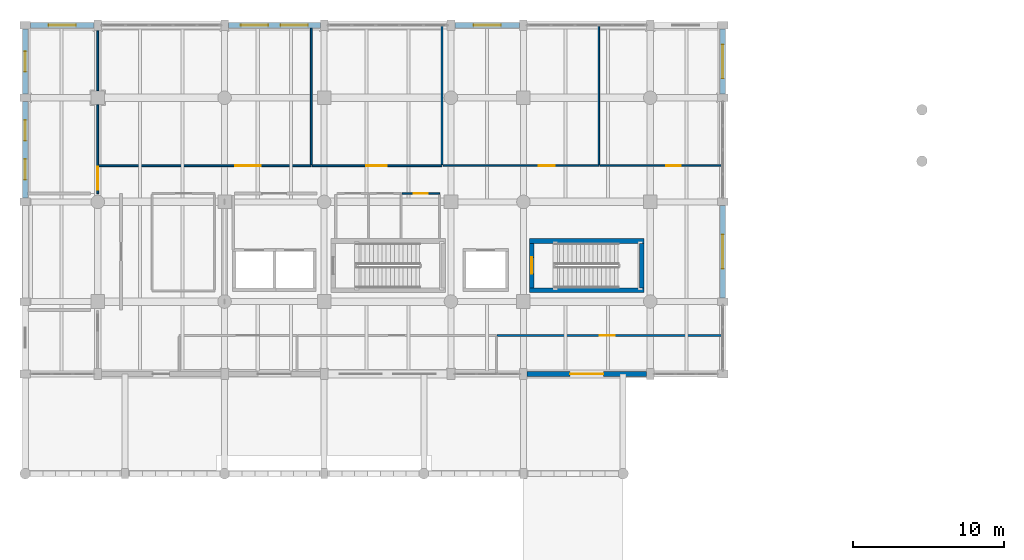
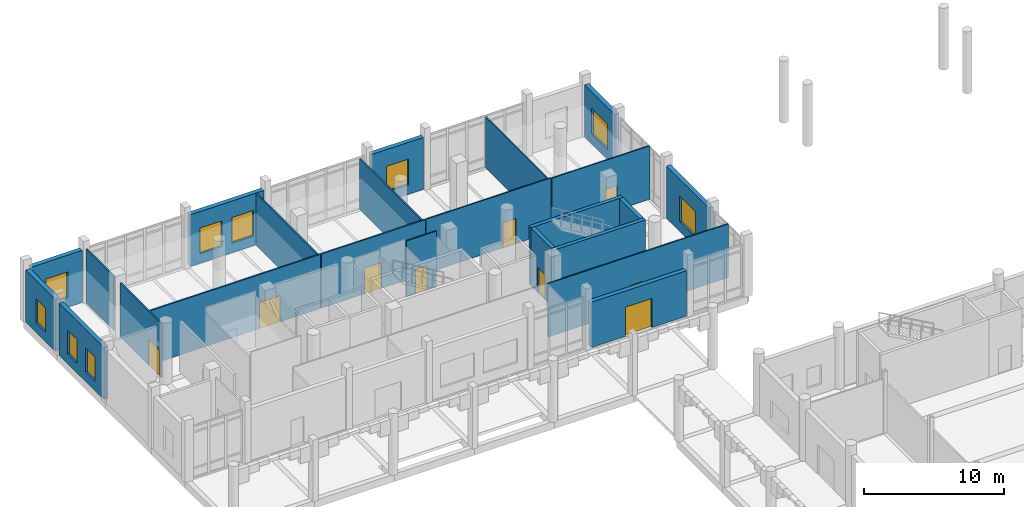
# One storey, part 50 of 72: 23 walls, 9 doors, 9 windows, 18 openings.
"""IFC4 building model written with IfcOpenShell, lengths in metres."""

from ifc_helpers import new_model, si_unit, direction, frame, frame_2d, origin, place, context, subcontext, project, spatial, rectangle, extrude, material, layer, layer_set, type_object, element, fill, save


model = new_model("IFC4")

# Units and contexts
model_context = context("Model", 3, precision=1e-05, world=origin(), true_north=direction((0.0, 1.0)))
body_context = subcontext(model_context, "Body", "Model", "MODEL_VIEW")
ifc_project = project(units=[si_unit("LENGTHUNIT", "METRE"), si_unit("AREAUNIT", "SQUARE_METRE"), si_unit("VOLUMEUNIT", "CUBIC_METRE"), si_unit("PLANEANGLEUNIT", "RADIAN"), si_unit("MASSUNIT", "GRAM", prefix="KILO")], contexts=[model_context])

# Site, building, storey
site_placement = place(None, origin())
site = spatial("IfcSite", under=ifc_project, at=site_placement, CompositionType="ELEMENT")
building_placement = place(site_placement, origin())
building = spatial("IfcBuilding", under=site, at=building_placement, Name="Dornvale Research Institute", CompositionType="ELEMENT")
storey_placement = place(building_placement, origin())
storey = spatial("IfcBuildingStorey", under=building, at=storey_placement, Name="L00", CompositionType="ELEMENT", Elevation=0.0)

# Wall, opening, door
ifc_material_1 = material(Name="Acoustic Insulated Double-Stud Laboratory Partition")
ifc_layer_1 = layer(ifc_material_1, 0.1201171875)
ifc_layer_set_1 = layer_set([ifc_layer_1], Name="Acoustic Insulated Double-Stud Laboratory Partition")
wall_type_1 = type_object("IfcWallType", Name="Partition_Dry_120", PredefinedType="PARTITIONING", material=ifc_layer_set_1)
wall_1_placement = place(storey_placement, frame((4.800048828125, 110.949951171875, 0.0), z_axis=(0.0, 0.0, 1.0), x_axis=(0.0, 1.0, 0.0)))
wall_1 = element("IfcWall", 1, at=wall_1_placement, inside=storey, type_object=wall_type_1, Name="L00 V5 interior partition #75", PredefinedType="PARTITIONING", context=body_context, shape_type="SweptSolid", body=[
    extrude(rectangle(XDim=5.880126953125, YDim=0.1201171875, at=frame_2d((2.93994140625, 0.0))), origin(), (0.0, 0.0, 1.0), 4.72998046875),
])
opening_1_placement = place(wall_1_placement, frame((0.25, 0.0, 0.0)))
opening_1 = element("IfcOpeningElement", 2, at=opening_1_placement, cuts=wall_1, Name="Opening ID-12", PredefinedType="OPENING", context=body_context, shape_type="SweptSolid", body=[
    extrude(rectangle(XDim=1.5400390625, YDim=2.25, at=frame_2d((0.77001953125, 1.125))), frame((0.0, 0.074951171875, 0.0), z_axis=(0.0, -1.0, 0.0), x_axis=(1.0, 0.0, 0.0)), (0.0, 0.0, 1.0), 0.150146484375),
])
ifc_material_2 = material(Name="Phenolic-Faced Solid-Core Laboratory Door Assembly")
door_type_1 = type_object("IfcDoorType", Name="Door_Seminar_1540x2250", OperationType="SINGLE_SWING_LEFT", PredefinedType="DOOR", material=ifc_material_2)
door_1_placement = place(opening_1_placement, origin())
door_1 = element("IfcDoor", 3, at=door_1_placement, inside=storey, type_object=door_type_1, Name="L00 Computational Sciences Colloquium Room West Alcove door #32", OperationType="SINGLE_SWING_LEFT", OverallHeight=2.25, OverallWidth=1.5400390625, PredefinedType="DOOR", context=body_context, shape_type="SweptSolid", body=[
    extrude(rectangle(XDim=1.5400390625, YDim=2.25, at=frame_2d((0.77001953125, 1.125))), frame((0.0, 0.02490234375, 0.0), z_axis=(0.0, -1.0, 0.0), x_axis=(1.0, 0.0, 0.0)), (0.0, 0.0, 1.0), 0.050048828125),
])
fill(opening_1, door_1)

# Wall
wall_2_placement = place(storey_placement, frame((4.800048828125, 117.77001953125, 0.0), z_axis=(0.0, 0.0, 1.0), x_axis=(0.0, 1.0, 0.0)))
element("IfcWall", 4, at=wall_2_placement, inside=storey, type_object=wall_type_1, Name="L00 V5 interior partition #76", PredefinedType="PARTITIONING", context=body_context, shape_type="SweptSolid", body=[
    extrude(rectangle(XDim=3.9599609375, YDim=0.1201171875, at=frame_2d((1.97998046875, 0.0))), origin(), (0.0, 0.0, 1.0), 4.72998046875),
])

# Wall, opening, door
wall_3_placement = place(storey_placement, frame((4.875, 112.800048828125, 0.0), z_axis=(0.0, 0.0, 1.0), x_axis=(1.0, 0.0, 0.0)))
wall_3 = element("IfcWall", 5, at=wall_3_placement, inside=storey, type_object=wall_type_1, Name="L00 V5 interior partition #77", PredefinedType="PARTITIONING", context=body_context, shape_type="SweptSolid", body=[
    extrude(rectangle(XDim=14.06494140625, YDim=0.1201171875, at=frame_2d((7.032470703125, 0.0))), origin(), (0.0, 0.0, 1.0), 4.72998046875),
])
opening_2_placement = place(wall_3_placement, frame((9.034912109375, 0.0, 0.0)))
opening_2 = element("IfcOpeningElement", 6, at=opening_2_placement, cuts=wall_3, Name="Opening ID-11", PredefinedType="OPENING", context=body_context, shape_type="SweptSolid", body=[
    extrude(rectangle(XDim=1.679931640625, YDim=2.300048828125, at=frame_2d((0.83984375, 1.14990234375))), frame((0.0, 0.074951171875, 0.0), z_axis=(0.0, -1.0, 0.0), x_axis=(1.0, 0.0, 0.0)), (0.0, 0.0, 1.0), 0.150146484375),
])
ifc_material_3 = material(Name="Phenolic-Faced Solid-Core Laboratory Door Assembly")
door_type_2 = type_object("IfcDoorType", Name="Door_Seminar_1680x2300", OperationType="SINGLE_SWING_LEFT", PredefinedType="DOOR", material=ifc_material_3)
door_2_placement = place(opening_2_placement, origin())
door_2 = element("IfcDoor", 7, at=door_2_placement, inside=storey, type_object=door_type_2, Name="L00 Computational Sciences Colloquium Room door #33", OperationType="DOUBLE_DOOR_SINGLE_SWING", OverallHeight=2.300048828125, OverallWidth=1.679931640625, PredefinedType="DOOR", context=body_context, shape_type="SweptSolid", body=[
    extrude(rectangle(XDim=1.679931640625, YDim=2.300048828125, at=frame_2d((0.83984375, 1.14990234375))), frame((0.0, 0.02490234375, 0.0), z_axis=(0.0, -1.0, 0.0), x_axis=(1.0, 0.0, 0.0)), (0.0, 0.0, 1.0), 0.050048828125),
])
fill(opening_2, door_2)

# Wall
wall_4_placement = place(storey_placement, frame((18.93994140625, 112.875, 0.0), z_axis=(0.0, 0.0, 1.0), x_axis=(0.0, 1.0, 0.0)))
element("IfcWall", 8, at=wall_4_placement, inside=storey, type_object=wall_type_1, Name="L00 V5 interior partition #78", PredefinedType="PARTITIONING", context=body_context, shape_type="SweptSolid", body=[
    extrude(rectangle(XDim=9.030029296875, YDim=0.1201171875, at=frame_2d((4.51513671875, 0.0))), origin(), (0.0, 0.0, 1.0), 4.530029296875),
])

# Wall, opening, door
wall_5_placement = place(storey_placement, frame((19.014892578125, 112.800048828125, 0.0), z_axis=(0.0, 0.0, 1.0), x_axis=(1.0, 0.0, 0.0)))
wall_5 = element("IfcWall", 9, at=wall_5_placement, inside=storey, type_object=wall_type_1, Name="L00 V5 interior partition #79", PredefinedType="PARTITIONING", context=body_context, shape_type="SweptSolid", body=[
    extrude(rectangle(XDim=8.585205078125, YDim=0.1201171875, at=frame_2d((4.29248046875, 0.0))), origin(), (0.0, 0.0, 1.0), 4.72998046875),
])
opening_3_placement = place(wall_5_placement, frame((3.56494140625, 0.0, 0.0)))
opening_3 = element("IfcOpeningElement", 10, at=opening_3_placement, cuts=wall_5, Name="Opening ID-08", PredefinedType="OPENING", context=body_context, shape_type="SweptSolid", body=[
    extrude(rectangle(XDim=1.3798828125, YDim=2.25, at=frame_2d((0.68994140625, 1.125))), frame((0.0, 0.074951171875, 0.0), z_axis=(0.0, -1.0, 0.0), x_axis=(1.0, 0.0, 0.0)), (0.0, 0.0, 1.0), 0.150146484375),
])
ifc_material_4 = material(Name="Insulated Fire-Rated Hollow Metal Door Assembly")
door_type_3 = type_object("IfcDoorType", Name="Door_DryLab_1380x2250", OperationType="SINGLE_SWING_LEFT", PredefinedType="DOOR", material=ifc_material_4)
door_3_placement = place(opening_3_placement, origin())
door_3 = element("IfcDoor", 11, at=door_3_placement, inside=storey, type_object=door_type_3, Name="L00 Dry Computational Laboratory L00-A door #34", OperationType="SINGLE_SWING_LEFT", OverallHeight=2.25, OverallWidth=1.3798828125, PredefinedType="DOOR", context=body_context, shape_type="SweptSolid", body=[
    extrude(rectangle(XDim=1.3798828125, YDim=2.25, at=frame_2d((0.68994140625, 1.125))), frame((0.0, 0.02490234375, 0.0), z_axis=(0.0, -1.0, 0.0), x_axis=(1.0, 0.0, 0.0)), (0.0, 0.0, 1.0), 0.050048828125),
])
fill(opening_3, door_3)

# Wall
wall_6_placement = place(storey_placement, frame((27.60009765625, 112.875, 0.0), z_axis=(0.0, 0.0, 1.0), x_axis=(0.0, 1.0, 0.0)))
element("IfcWall", 12, at=wall_6_placement, inside=storey, type_object=wall_type_1, Name="L00 V5 interior partition #80", PredefinedType="PARTITIONING", context=body_context, shape_type="SweptSolid", body=[
    extrude(rectangle(XDim=9.18505859375, YDim=0.1201171875, at=frame_2d((4.592529296875, 0.0))), origin(), (0.0, 0.0, 1.0), 4.429931640625),
])

# Wall, opening, door
ifc_material_5 = material(Name="Acoustic Insulated Double-Stud Laboratory Partition")
ifc_layer_2 = layer(ifc_material_5, 0.10009765625)
ifc_layer_set_2 = layer_set([ifc_layer_2], Name="Acoustic Insulated Double-Stud Laboratory Partition")
wall_type_2 = type_object("IfcWallType", Name="Partition_Office_100", PredefinedType="PARTITIONING", material=ifc_layer_set_2)
wall_7_placement = place(storey_placement, frame((24.965087890625, 110.949951171875, 0.0), z_axis=(0.0, 0.0, 1.0), x_axis=(1.0, 0.0, 0.0)))
wall_7 = element("IfcWall", 13, at=wall_7_placement, inside=storey, type_object=wall_type_2, Name="L00 V5 interior partition #66", PredefinedType="PARTITIONING", context=body_context, shape_type="SweptSolid", body=[
    extrude(rectangle(XDim=2.48486328125, YDim=0.10009765625, at=frame_2d((1.242431640625, 0.0))), origin(), (0.0, 0.0, 1.0), 4.89501953125),
])
opening_4_placement = place(wall_7_placement, frame((0.760009765625, 0.0, 0.0)))
opening_4 = element("IfcOpeningElement", 14, at=opening_4_placement, cuts=wall_7, Name="Opening ID-23", PredefinedType="OPENING", context=body_context, shape_type="SweptSolid", body=[
    extrude(rectangle(XDim=0.949951171875, YDim=2.14990234375, at=frame_2d((0.47509765625, 1.074951171875))), frame((0.0, 0.06494140625, 0.0), z_axis=(0.0, -1.0, 0.0), x_axis=(1.0, 0.0, 0.0)), (0.0, 0.0, 1.0), 0.130126953125),
])
ifc_material_6 = material(Name="Phenolic-Faced Solid-Core Laboratory Door Assembly")
door_type_4 = type_object("IfcDoorType", Name="Door_WC_950x2150", OperationType="SINGLE_SWING_LEFT", PredefinedType="DOOR", material=ifc_material_6)
door_4_placement = place(opening_4_placement, origin())
door_4 = element("IfcDoor", 15, at=door_4_placement, inside=storey, type_object=door_type_4, Name="L00 Accessible Restroom L00 door #29", OperationType="SINGLE_SWING_RIGHT", OverallHeight=2.14990234375, OverallWidth=0.949951171875, PredefinedType="DOOR", context=body_context, shape_type="SweptSolid", body=[
    extrude(rectangle(XDim=0.949951171875, YDim=2.14990234375, at=frame_2d((0.47509765625, 1.074951171875))), frame((0.0, 0.02490234375, 0.0), z_axis=(0.0, -1.0, 0.0), x_axis=(1.0, 0.0, 0.0)), (0.0, 0.0, 1.0), 0.050048828125),
])
fill(opening_4, door_4)

wall_8_placement = place(storey_placement, frame((27.675048828125, 112.800048828125, 0.0), z_axis=(0.0, 0.0, 1.0), x_axis=(1.0, 0.0, 0.0)))
wall_8 = element("IfcWall", 16, at=wall_8_placement, inside=storey, type_object=wall_type_2, Name="L00 V5 interior partition #81", PredefinedType="PARTITIONING", context=body_context, shape_type="SweptSolid", body=[
    extrude(rectangle(XDim=10.324951171875, YDim=0.10009765625, at=frame_2d((5.16259765625, 0.0))), origin(), (0.0, 0.0, 1.0), 4.72998046875),
])
opening_5_placement = place(wall_8_placement, frame((6.344970703125, 0.0, 0.0)))
opening_5 = element("IfcOpeningElement", 17, at=opening_5_placement, cuts=wall_8, Name="Opening ID-19", PredefinedType="OPENING", context=body_context, shape_type="SweptSolid", body=[
    extrude(rectangle(XDim=1.06005859375, YDim=2.199951171875, at=frame_2d((0.530029296875, 1.10009765625))), frame((0.0, 0.06494140625, 0.0), z_axis=(0.0, -1.0, 0.0), x_axis=(1.0, 0.0, 0.0)), (0.0, 0.0, 1.0), 0.130126953125),
])
ifc_material_7 = material(Name="Phenolic-Faced Solid-Core Laboratory Door Assembly")
door_type_5 = type_object("IfcDoorType", Name="Door_WriteUp_1060x2200", OperationType="SINGLE_SWING_LEFT", PredefinedType="DOOR", material=ifc_material_7)
door_5_placement = place(opening_5_placement, origin())
door_5 = element("IfcDoor", 18, at=door_5_placement, inside=storey, type_object=door_type_5, Name="L00 Researcher Write-Up Studio L00 door #35", OperationType="SINGLE_SWING_RIGHT", OverallHeight=2.199951171875, OverallWidth=1.06005859375, PredefinedType="DOOR", context=body_context, shape_type="SweptSolid", body=[
    extrude(rectangle(XDim=1.06005859375, YDim=2.199951171875, at=frame_2d((0.530029296875, 1.10009765625))), frame((0.0, 0.02490234375, 0.0), z_axis=(0.0, -1.0, 0.0), x_axis=(1.0, 0.0, 0.0)), (0.0, 0.0, 1.0), 0.050048828125),
])
fill(opening_5, door_5)

# Wall
wall_9_placement = place(storey_placement, frame((38.0, 112.864990234375, 0.0), z_axis=(0.0, 0.0, 1.0), x_axis=(0.0, 1.0, 0.0)))
element("IfcWall", 19, at=wall_9_placement, inside=storey, type_object=wall_type_2, Name="L00 V5 interior partition #82", PredefinedType="PARTITIONING", context=body_context, shape_type="SweptSolid", body=[
    extrude(rectangle(XDim=9.195068359375, YDim=0.10009765625, at=frame_2d((4.59765625, 0.0))), origin(), (0.0, 0.0, 1.0), 4.429931640625),
])

# Wall, opening, door
wall_10_placement = place(storey_placement, frame((38.06494140625, 112.800048828125, 0.0), z_axis=(0.0, 0.0, 1.0), x_axis=(1.0, 0.0, 0.0)))
wall_10 = element("IfcWall", 20, at=wall_10_placement, inside=storey, type_object=wall_type_2, Name="L00 V5 interior partition #83", PredefinedType="PARTITIONING", context=body_context, shape_type="SweptSolid", body=[
    extrude(rectangle(XDim=8.094970703125, YDim=0.10009765625, at=frame_2d((4.04736328125, 0.0))), origin(), (0.0, 0.0, 1.0), 4.679931640625),
])
opening_6_placement = place(wall_10_placement, frame((4.405029296875, 0.0, 0.0)))
opening_6 = element("IfcOpeningElement", 21, at=opening_6_placement, cuts=wall_10, Name="Opening ID-22", PredefinedType="OPENING", context=body_context, shape_type="SweptSolid", body=[
    extrude(rectangle(XDim=0.9599609375, YDim=2.14990234375, at=frame_2d((0.47998046875, 1.074951171875))), frame((0.0, 0.06494140625, 0.0), z_axis=(0.0, -1.0, 0.0), x_axis=(1.0, 0.0, 0.0)), (0.0, 0.0, 1.0), 0.130126953125),
])
ifc_material_8 = material(Name="Phenolic-Faced Solid-Core Laboratory Door Assembly")
door_type_6 = type_object("IfcDoorType", Name="Door_Office_960x2150", OperationType="SINGLE_SWING_LEFT", PredefinedType="DOOR", material=ifc_material_8)
door_6_placement = place(opening_6_placement, origin())
door_6 = element("IfcDoor", 22, at=door_6_placement, inside=storey, type_object=door_type_6, Name="L00 Principal Investigator Office Suite L00 door #36", OperationType="SINGLE_SWING_LEFT", OverallHeight=2.14990234375, OverallWidth=0.9599609375, PredefinedType="DOOR", context=body_context, shape_type="SweptSolid", body=[
    extrude(rectangle(XDim=0.9599609375, YDim=2.14990234375, at=frame_2d((0.47998046875, 1.074951171875))), frame((0.0, 0.02490234375, 0.0), z_axis=(0.0, -1.0, 0.0), x_axis=(1.0, 0.0, 0.0)), (0.0, 0.0, 1.0), 0.050048828125),
])
fill(opening_6, door_6)

wall_11_placement = place(storey_placement, frame((31.264892578125, 101.550048828125, 0.0), z_axis=(0.0, 0.0, 1.0), x_axis=(1.0, 0.0, 0.0)))
wall_11 = element("IfcWall", 23, at=wall_11_placement, inside=storey, type_object=wall_type_2, Name="L00 V5 interior partition #90", PredefinedType="PARTITIONING", context=body_context, shape_type="SweptSolid", body=[
    extrude(rectangle(XDim=14.89501953125, YDim=0.10009765625, at=frame_2d((7.447509765625, 0.0))), origin(), (0.0, 0.0, 1.0), 4.679931640625),
])
opening_7_placement = place(wall_11_placement, frame((6.794921875, 0.0, 0.0)))
opening_7 = element("IfcOpeningElement", 24, at=opening_7_placement, cuts=wall_11, Name="Opening ID-24", PredefinedType="OPENING", context=body_context, shape_type="SweptSolid", body=[
    extrude(rectangle(XDim=1.0, YDim=2.14990234375, at=frame_2d((0.5, 1.074951171875))), frame((0.0, 0.06494140625, 0.0), z_axis=(0.0, -1.0, 0.0), x_axis=(1.0, 0.0, 0.0)), (0.0, 0.0, 1.0), 0.130126953125),
])
ifc_material_9 = material(Name="Phenolic-Faced Solid-Core Laboratory Door Assembly")
door_type_7 = type_object("IfcDoorType", Name="Door_AccWC_1000x2150", OperationType="SINGLE_SWING_LEFT", PredefinedType="DOOR", material=ifc_material_9)
door_7_placement = place(opening_7_placement, origin())
door_7 = element("IfcDoor", 25, at=door_7_placement, inside=storey, type_object=door_type_7, Name="L00 Dornvale Square North Vestibule door #40", OperationType="SINGLE_SWING_LEFT", OverallHeight=2.14990234375, OverallWidth=1.0, PredefinedType="DOOR", context=body_context, shape_type="SweptSolid", body=[
    extrude(rectangle(XDim=1.0, YDim=2.14990234375, at=frame_2d((0.5, 1.074951171875))), frame((0.0, 0.02490234375, 0.0), z_axis=(0.0, -1.0, 0.0), x_axis=(1.0, 0.0, 0.0)), (0.0, 0.0, 1.0), 0.050048828125),
])
fill(opening_7, door_7)

# Walls
ifc_material_10 = material(Name="Concrete f'c 50 MPa (C40/50)", Category="concrete")
ifc_layer_3 = layer(ifc_material_10, 0.300048828125)
ifc_layer_set_3 = layer_set([ifc_layer_3], Name="Concrete f'c 50 MPa (C40/50)")
wall_type_3 = type_object("IfcWallType", Name="ShearWall_Core_300", PredefinedType="SHEAR", material=ifc_layer_set_3)
for number, where, z_axis, x_axis, name in (
    (26, (33.39990234375, 104.550048828125, 0.0), (0.0, 0.0, 1.0), (1.0, 0.0, 0.0), "L00 ST-2 shaft shear wall south"),
    (27, (33.39990234375, 107.81005859375, 0.0), (0.0, 0.0, 1.0), (1.0, 0.0, 0.0), "L00 ST-2 shaft shear wall north"),
):
    element("IfcWall", number, at=place(storey_placement, frame(where, z_axis=z_axis, x_axis=x_axis)), inside=storey, type_object=wall_type_3, Name=name, PredefinedType="SHEAR", context=body_context, shape_type="SweptSolid", body=[
        extrude(rectangle(XDim=7.60009765625, YDim=0.300048828125, at=frame_2d((3.800048828125, 0.0))), origin(), (0.0, 0.0, 1.0), 5.080078125),
    ])

# Wall, opening, door
wall_12_placement = place(storey_placement, frame((33.550048828125, 104.699951171875, 0.0), z_axis=(0.0, 0.0, 1.0), x_axis=(0.0, 1.0, 0.0)))
wall_12 = element("IfcWall", 28, at=wall_12_placement, inside=storey, type_object=wall_type_3, Name="L00 ST-2 shaft shear wall west", PredefinedType="SHEAR", context=body_context, shape_type="SweptSolid", body=[
    extrude(rectangle(XDim=2.9599609375, YDim=0.300048828125, at=frame_2d((1.47998046875, 0.0))), origin(), (0.0, 0.0, 1.0), 5.080078125),
])
opening_8_placement = place(wall_12_placement, frame((0.93994140625, 0.0, 0.0)))
opening_8 = element("IfcOpeningElement", 29, at=opening_8_placement, cuts=wall_12, Name="Opening SD-02", PredefinedType="OPENING", context=body_context, shape_type="SweptSolid", body=[
    extrude(rectangle(XDim=1.080078125, YDim=2.199951171875, at=frame_2d((0.5400390625, 1.10009765625))), frame((0.0, 0.1650390625, 0.0), z_axis=(0.0, -1.0, 0.0), x_axis=(1.0, 0.0, 0.0)), (0.0, 0.0, 1.0), 0.330078125),
])
ifc_material_11 = material(Name="Insulated Fire-Rated Hollow Metal Door Assembly")
door_type_8 = type_object("IfcDoorType", Name="Door_Stair_1080x2200", OperationType="SINGLE_SWING_LEFT", PredefinedType="DOOR", material=ifc_material_11)
door_8_placement = place(opening_8_placement, origin())
door_8 = element("IfcDoor", 30, at=door_8_placement, inside=storey, type_object=door_type_8, Name="L00 ST-2 exit stair door #14", OperationType="SINGLE_SWING_LEFT", OverallHeight=2.199951171875, OverallWidth=1.080078125, PredefinedType="DOOR", context=body_context, shape_type="SweptSolid", body=[
    extrude(rectangle(XDim=1.080078125, YDim=2.199951171875, at=frame_2d((0.5400390625, 1.10009765625))), frame((0.0, 0.02490234375, 0.0), z_axis=(0.0, -1.0, 0.0), x_axis=(1.0, 0.0, 0.0)), (0.0, 0.0, 1.0), 0.050048828125),
])
fill(opening_8, door_8)

# Wall
wall_13_placement = place(storey_placement, frame((40.85009765625, 104.699951171875, 0.0), z_axis=(0.0, 0.0, 1.0), x_axis=(0.0, 1.0, 0.0)))
element("IfcWall", 31, at=wall_13_placement, inside=storey, type_object=wall_type_3, Name="L00 ST-2 shaft shear wall east", PredefinedType="SHEAR", context=body_context, shape_type="SweptSolid", body=[
    extrude(rectangle(XDim=2.9599609375, YDim=0.300048828125, at=frame_2d((1.47998046875, 0.0))), origin(), (0.0, 0.0, 1.0), 5.080078125),
])

# Wall, openings, windows
ifc_material_12 = material(Name="Catalan Pressed Brick and Insulated Cavity Assembly", Category="masonry")
ifc_layer_4 = layer(ifc_material_12, 0.360107421875)
ifc_layer_set_4 = layer_set([ifc_layer_4], Name="Catalan Pressed Brick and Insulated Cavity Assembly")
wall_type_4 = type_object("IfcWallType", Name="StandardWall_BrickCavity_360", PredefinedType="STANDARD", material=ifc_layer_set_4)
wall_14_placement = place(storey_placement, frame((0.0, 110.64990234375, 0.0), z_axis=(0.0, 0.0, 1.0), x_axis=(0.0, 1.0, 0.0)))
wall_14 = element("IfcWall", 32, at=wall_14_placement, inside=storey, type_object=wall_type_4, Name="L00 V5 west exterior wall #291", PredefinedType="STANDARD", context=body_context, shape_type="SweptSolid", body=[
    extrude(rectangle(XDim=6.400146484375, YDim=0.360107421875, at=frame_2d((3.2001953125, 0.0))), origin(), (0.0, 0.0, 1.0), 4.550048828125),
])
opening_9_placement = place(wall_14_placement, frame((1.2333984375, 0.0, 0.85009765625)))
opening_9 = element("IfcOpeningElement", 33, at=opening_9_placement, cuts=wall_14, Name="Opening W-38", PredefinedType="OPENING", context=body_context, shape_type="SweptSolid", body=[
    extrude(rectangle(XDim=1.35009765625, YDim=2.080078125, at=frame_2d((0.675048828125, 1.0400390625))), frame((0.0, 0.195068359375, 0.0), z_axis=(0.0, -1.0, 0.0), x_axis=(1.0, 0.0, 0.0)), (0.0, 0.0, 1.0), 0.39013671875),
])
opening_10_placement = place(wall_14_placement, frame((3.816650390625, 0.0, 0.85009765625)))
opening_10 = element("IfcOpeningElement", 34, at=opening_10_placement, cuts=wall_14, Name="Opening W-38", PredefinedType="OPENING", context=body_context, shape_type="SweptSolid", body=[
    extrude(rectangle(XDim=1.35009765625, YDim=2.080078125, at=frame_2d((0.675048828125, 1.0400390625))), frame((0.0, 0.195068359375, 0.0), z_axis=(0.0, -1.0, 0.0), x_axis=(1.0, 0.0, 0.0)), (0.0, 0.0, 1.0), 0.39013671875),
])
ifc_material_13 = material(Name="Low-E Argon Double Insulating Glazing Unit", Category="glass")
window_type_1 = type_object("IfcWindowType", Name="Window_Alu_1350x2080_38", PartitioningType="SINGLE_PANEL", PredefinedType="WINDOW", material=ifc_material_13)
window_1_placement = place(opening_9_placement, origin())
window_1 = element("IfcWindow", 35, at=window_1_placement, inside=storey, type_object=window_type_1, Name="L00 V5 facade window W-38 #404", OverallHeight=2.080078125, OverallWidth=1.35009765625, PartitioningType="SINGLE_PANEL", PredefinedType="WINDOW", context=body_context, shape_type="SweptSolid", body=[
    extrude(rectangle(XDim=1.35009765625, YDim=2.080078125, at=frame_2d((0.675048828125, 1.0400390625))), frame((0.0, 0.030029296875, 0.0), z_axis=(0.0, -1.0, 0.0), x_axis=(1.0, 0.0, 0.0)), (0.0, 0.0, 1.0), 0.06005859375),
])
fill(opening_9, window_1)
window_2_placement = place(opening_10_placement, origin())
window_2 = element("IfcWindow", 36, at=window_2_placement, inside=storey, type_object=window_type_1, Name="L00 V5 facade window W-38 #405", OverallHeight=2.080078125, OverallWidth=1.35009765625, PartitioningType="SINGLE_PANEL", PredefinedType="WINDOW", context=body_context, shape_type="SweptSolid", body=[
    extrude(rectangle(XDim=1.35009765625, YDim=2.080078125, at=frame_2d((0.675048828125, 1.0400390625))), frame((0.0, 0.030029296875, 0.0), z_axis=(0.0, -1.0, 0.0), x_axis=(1.0, 0.0, 0.0)), (0.0, 0.0, 1.0), 0.06005859375),
])
fill(opening_10, window_2)

# Wall, opening, window
wall_15_placement = place(storey_placement, frame((0.0, 117.550048828125, 0.0), z_axis=(0.0, 0.0, 1.0), x_axis=(0.0, 1.0, 0.0)))
wall_15 = element("IfcWall", 37, at=wall_15_placement, inside=storey, type_object=wall_type_4, Name="L00 V5 west exterior wall #292", PredefinedType="STANDARD", context=body_context, shape_type="SweptSolid", body=[
    extrude(rectangle(XDim=4.300048828125, YDim=0.360107421875, at=frame_2d((2.14990234375, 0.0))), origin(), (0.0, 0.0, 1.0), 4.550048828125),
])
opening_11_placement = place(wall_15_placement, frame((1.47509765625, 0.0, 0.85009765625)))
opening_11 = element("IfcOpeningElement", 38, at=opening_11_placement, cuts=wall_15, Name="Opening W-38", PredefinedType="OPENING", context=body_context, shape_type="SweptSolid", body=[
    extrude(rectangle(XDim=1.35009765625, YDim=2.080078125, at=frame_2d((0.675048828125, 1.0400390625))), frame((0.0, 0.195068359375, 0.0), z_axis=(0.0, -1.0, 0.0), x_axis=(1.0, 0.0, 0.0)), (0.0, 0.0, 1.0), 0.39013671875),
])
window_3_placement = place(opening_11_placement, origin())
window_3 = element("IfcWindow", 39, at=window_3_placement, inside=storey, type_object=window_type_1, Name="L00 V5 facade window W-38 #406", OverallHeight=2.080078125, OverallWidth=1.35009765625, PartitioningType="SINGLE_PANEL", PredefinedType="WINDOW", context=body_context, shape_type="SweptSolid", body=[
    extrude(rectangle(XDim=1.35009765625, YDim=2.080078125, at=frame_2d((0.675048828125, 1.0400390625))), frame((0.0, 0.030029296875, 0.0), z_axis=(0.0, -1.0, 0.0), x_axis=(1.0, 0.0, 0.0)), (0.0, 0.0, 1.0), 0.06005859375),
])
fill(opening_11, window_3)

wall_16_placement = place(storey_placement, frame((0.35009765625, 122.10009765625, 0.0), z_axis=(0.0, 0.0, 1.0), x_axis=(1.0, 0.0, 0.0)))
wall_16 = element("IfcWall", 40, at=wall_16_placement, inside=storey, type_object=wall_type_4, Name="L00 V5 north exterior wall #293", PredefinedType="STANDARD", context=body_context, shape_type="SweptSolid", body=[
    extrude(rectangle(XDim=4.199951171875, YDim=0.360107421875, at=frame_2d((2.10009765625, 0.0))), origin(), (0.0, 0.0, 1.0), 4.550048828125),
])
opening_12_placement = place(wall_16_placement, frame((1.199951171875, 0.0, 0.85009765625)))
opening_12 = element("IfcOpeningElement", 41, at=opening_12_placement, cuts=wall_16, Name="Opening W-41", PredefinedType="OPENING", context=body_context, shape_type="SweptSolid", body=[
    extrude(rectangle(XDim=1.800048828125, YDim=2.239990234375, at=frame_2d((0.89990234375, 1.1201171875))), frame((0.0, 0.195068359375, 0.0), z_axis=(0.0, -1.0, 0.0), x_axis=(1.0, 0.0, 0.0)), (0.0, 0.0, 1.0), 0.39013671875),
])
ifc_material_14 = material(Name="Low-E Argon Double Insulating Glazing Unit", Category="glass")
window_type_2 = type_object("IfcWindowType", Name="Window_Alu_1800x2240_41", PartitioningType="DOUBLE_PANEL_VERTICAL", PredefinedType="WINDOW", material=ifc_material_14)
window_4_placement = place(opening_12_placement, origin())
window_4 = element("IfcWindow", 42, at=window_4_placement, inside=storey, type_object=window_type_2, Name="L00 V5 facade window W-41 #407", OverallHeight=2.239990234375, OverallWidth=1.800048828125, PartitioningType="DOUBLE_PANEL_VERTICAL", PredefinedType="WINDOW", context=body_context, shape_type="SweptSolid", body=[
    extrude(rectangle(XDim=1.800048828125, YDim=2.239990234375, at=frame_2d((0.89990234375, 1.1201171875))), frame((0.0, 0.030029296875, 0.0), z_axis=(0.0, -1.0, 0.0), x_axis=(1.0, 0.0, 0.0)), (0.0, 0.0, 1.0), 0.06005859375),
])
fill(opening_12, window_4)

# Wall, openings, windows
wall_17_placement = place(storey_placement, frame((13.449951171875, 122.10009765625, 0.0), z_axis=(0.0, 0.0, 1.0), x_axis=(1.0, 0.0, 0.0)))
wall_17 = element("IfcWall", 43, at=wall_17_placement, inside=storey, type_object=wall_type_4, Name="L00 V5 north exterior wall #294", PredefinedType="STANDARD", context=body_context, shape_type="SweptSolid", body=[
    extrude(rectangle(XDim=6.10009765625, YDim=0.360107421875, at=frame_2d((3.050048828125, 0.0))), origin(), (0.0, 0.0, 1.0), 4.530029296875),
])
opening_13_placement = place(wall_17_placement, frame((0.833251953125, 0.0, 0.85009765625)))
opening_13 = element("IfcOpeningElement", 44, at=opening_13_placement, cuts=wall_17, Name="Opening W-41", PredefinedType="OPENING", context=body_context, shape_type="SweptSolid", body=[
    extrude(rectangle(XDim=1.800048828125, YDim=2.239990234375, at=frame_2d((0.89990234375, 1.1201171875))), frame((0.0, 0.195068359375, 0.0), z_axis=(0.0, -1.0, 0.0), x_axis=(1.0, 0.0, 0.0)), (0.0, 0.0, 1.0), 0.39013671875),
])
opening_14_placement = place(wall_17_placement, frame((3.466552734375, 0.0, 0.85009765625)))
opening_14 = element("IfcOpeningElement", 45, at=opening_14_placement, cuts=wall_17, Name="Opening W-41", PredefinedType="OPENING", context=body_context, shape_type="SweptSolid", body=[
    extrude(rectangle(XDim=1.800048828125, YDim=2.239990234375, at=frame_2d((0.89990234375, 1.1201171875))), frame((0.0, 0.195068359375, 0.0), z_axis=(0.0, -1.0, 0.0), x_axis=(1.0, 0.0, 0.0)), (0.0, 0.0, 1.0), 0.39013671875),
])
window_5_placement = place(opening_13_placement, origin())
window_5 = element("IfcWindow", 46, at=window_5_placement, inside=storey, type_object=window_type_2, Name="L00 V5 facade window W-41 #408", OverallHeight=2.239990234375, OverallWidth=1.800048828125, PartitioningType="DOUBLE_PANEL_VERTICAL", PredefinedType="WINDOW", context=body_context, shape_type="SweptSolid", body=[
    extrude(rectangle(XDim=1.800048828125, YDim=2.239990234375, at=frame_2d((0.89990234375, 1.1201171875))), frame((0.0, 0.030029296875, 0.0), z_axis=(0.0, -1.0, 0.0), x_axis=(1.0, 0.0, 0.0)), (0.0, 0.0, 1.0), 0.06005859375),
])
fill(opening_13, window_5)
window_6_placement = place(opening_14_placement, origin())
window_6 = element("IfcWindow", 47, at=window_6_placement, inside=storey, type_object=window_type_2, Name="L00 V5 facade window W-41 #409", OverallHeight=2.239990234375, OverallWidth=1.800048828125, PartitioningType="DOUBLE_PANEL_VERTICAL", PredefinedType="WINDOW", context=body_context, shape_type="SweptSolid", body=[
    extrude(rectangle(XDim=1.800048828125, YDim=2.239990234375, at=frame_2d((0.89990234375, 1.1201171875))), frame((0.0, 0.030029296875, 0.0), z_axis=(0.0, -1.0, 0.0), x_axis=(1.0, 0.0, 0.0)), (0.0, 0.0, 1.0), 0.06005859375),
])
fill(opening_14, window_6)

# Wall, opening, window
wall_18_placement = place(storey_placement, frame((28.449951171875, 122.10009765625, 0.0), z_axis=(0.0, 0.0, 1.0), x_axis=(1.0, 0.0, 0.0)))
wall_18 = element("IfcWall", 48, at=wall_18_placement, inside=storey, type_object=wall_type_4, Name="L00 V5 north exterior wall #295", PredefinedType="STANDARD", context=body_context, shape_type="SweptSolid", body=[
    extrude(rectangle(XDim=4.300048828125, YDim=0.360107421875, at=frame_2d((2.14990234375, 0.0))), origin(), (0.0, 0.0, 1.0), 4.550048828125),
])
opening_15_placement = place(wall_18_placement, frame((1.25, 0.0, 0.85009765625)))
opening_15 = element("IfcOpeningElement", 49, at=opening_15_placement, cuts=wall_18, Name="Opening W-41", PredefinedType="OPENING", context=body_context, shape_type="SweptSolid", body=[
    extrude(rectangle(XDim=1.800048828125, YDim=2.239990234375, at=frame_2d((0.89990234375, 1.1201171875))), frame((0.0, 0.195068359375, 0.0), z_axis=(0.0, -1.0, 0.0), x_axis=(1.0, 0.0, 0.0)), (0.0, 0.0, 1.0), 0.39013671875),
])
window_7_placement = place(opening_15_placement, origin())
window_7 = element("IfcWindow", 50, at=window_7_placement, inside=storey, type_object=window_type_2, Name="L00 V5 facade window W-41 #410", OverallHeight=2.239990234375, OverallWidth=1.800048828125, PartitioningType="DOUBLE_PANEL_VERTICAL", PredefinedType="WINDOW", context=body_context, shape_type="SweptSolid", body=[
    extrude(rectangle(XDim=1.800048828125, YDim=2.239990234375, at=frame_2d((0.89990234375, 1.1201171875))), frame((0.0, 0.030029296875, 0.0), z_axis=(0.0, -1.0, 0.0), x_axis=(1.0, 0.0, 0.0)), (0.0, 0.0, 1.0), 0.06005859375),
])
fill(opening_15, window_7)

wall_19_placement = place(storey_placement, frame((46.199951171875, 121.85009765625, 0.0), z_axis=(0.0, 0.0, 1.0), x_axis=(0.0, -1.0, 0.0)))
wall_19 = element("IfcWall", 51, at=wall_19_placement, inside=storey, type_object=wall_type_4, Name="L00 V5 east exterior wall #297", PredefinedType="STANDARD", context=body_context, shape_type="SweptSolid", body=[
    extrude(rectangle(XDim=4.300048828125, YDim=0.360107421875, at=frame_2d((2.14990234375, 0.0))), origin(), (0.0, 0.0, 1.0), 4.550048828125),
])
opening_16_placement = place(wall_19_placement, frame((1.02490234375, 0.0, 0.85009765625)))
opening_16 = element("IfcOpeningElement", 52, at=opening_16_placement, cuts=wall_19, Name="Opening W-44", PredefinedType="OPENING", context=body_context, shape_type="SweptSolid", body=[
    extrude(rectangle(XDim=2.25, YDim=2.239990234375, at=frame_2d((1.125, 1.1201171875))), frame((0.0, 0.195068359375, 0.0), z_axis=(0.0, -1.0, 0.0), x_axis=(1.0, 0.0, 0.0)), (0.0, 0.0, 1.0), 0.39013671875),
])
ifc_material_15 = material(Name="Low-E Argon Double Insulating Glazing Unit", Category="glass")
window_type_3 = type_object("IfcWindowType", Name="Window_Alu_2250x2240_44", PartitioningType="DOUBLE_PANEL_VERTICAL", PredefinedType="WINDOW", material=ifc_material_15)
window_8_placement = place(opening_16_placement, origin())
window_8 = element("IfcWindow", 53, at=window_8_placement, inside=storey, type_object=window_type_3, Name="L00 V5 facade window W-44 #412", OverallHeight=2.239990234375, OverallWidth=2.25, PartitioningType="DOUBLE_PANEL_VERTICAL", PredefinedType="WINDOW", context=body_context, shape_type="SweptSolid", body=[
    extrude(rectangle(XDim=2.25, YDim=2.239990234375, at=frame_2d((1.125, 1.1201171875))), frame((0.0, 0.030029296875, 0.0), z_axis=(0.0, -1.0, 0.0), x_axis=(1.0, 0.0, 0.0)), (0.0, 0.0, 1.0), 0.06005859375),
])
fill(opening_16, window_8)

wall_20_placement = place(storey_placement, frame((46.199951171875, 110.14990234375, 0.0), z_axis=(0.0, 0.0, 1.0), x_axis=(0.0, -1.0, 0.0)))
wall_20 = element("IfcWall", 54, at=wall_20_placement, inside=storey, type_object=wall_type_4, Name="L00 V5 east exterior wall #298", PredefinedType="STANDARD", context=body_context, shape_type="SweptSolid", body=[
    extrude(rectangle(XDim=6.099853515625, YDim=0.360107421875, at=frame_2d((3.0498046875, 0.0))), origin(), (0.0, 0.0, 1.0), 4.550048828125),
])
opening_17_placement = place(wall_20_placement, frame((1.925048828125, 0.0, 0.85009765625)))
opening_17 = element("IfcOpeningElement", 55, at=opening_17_placement, cuts=wall_20, Name="Opening W-44", PredefinedType="OPENING", context=body_context, shape_type="SweptSolid", body=[
    extrude(rectangle(XDim=2.25, YDim=2.239990234375, at=frame_2d((1.125, 1.1201171875))), frame((0.0, 0.195068359375, 0.0), z_axis=(0.0, -1.0, 0.0), x_axis=(1.0, 0.0, 0.0)), (0.0, 0.0, 1.0), 0.39013671875),
])
window_9_placement = place(opening_17_placement, origin())
window_9 = element("IfcWindow", 56, at=window_9_placement, inside=storey, type_object=window_type_3, Name="L00 V5 facade window W-44 #413", OverallHeight=2.239990234375, OverallWidth=2.25, PartitioningType="DOUBLE_PANEL_VERTICAL", PredefinedType="WINDOW", context=body_context, shape_type="SweptSolid", body=[
    extrude(rectangle(XDim=2.25, YDim=2.239990234375, at=frame_2d((1.125, 1.1201171875))), frame((0.0, 0.030029296875, 0.0), z_axis=(0.0, -1.0, 0.0), x_axis=(1.0, 0.0, 0.0)), (0.0, 0.0, 1.0), 0.06005859375),
])
fill(opening_17, window_9)

# Wall, opening, door
wall_21_placement = place(storey_placement, frame((41.14990234375, 99.0, 0.0), z_axis=(0.0, 0.0, 1.0), x_axis=(-1.0, 0.0, 0.0)))
wall_21 = element("IfcWall", 57, at=wall_21_placement, inside=storey, type_object=wall_type_4, Name="L00 V5 south exterior wall #299", PredefinedType="STANDARD", context=body_context, shape_type="SweptSolid", body=[
    extrude(rectangle(XDim=7.89990234375, YDim=0.360107421875, at=frame_2d((3.949951171875, 0.0))), origin(), (0.0, 0.0, 1.0), 3.9599609375),
])
opening_18_placement = place(wall_21_placement, frame((2.85009765625, 0.0, 0.0)))
opening_18 = element("IfcOpeningElement", 58, at=opening_18_placement, cuts=wall_21, Name="Opening ED-02", PredefinedType="OPENING", context=body_context, shape_type="SweptSolid", body=[
    extrude(rectangle(XDim=2.199951171875, YDim=2.550048828125, at=frame_2d((1.10009765625, 1.27490234375))), frame((0.0, 0.195068359375, 0.0), z_axis=(0.0, -1.0, 0.0), x_axis=(1.0, 0.0, 0.0)), (0.0, 0.0, 1.0), 0.39013671875),
])
ifc_material_16 = material(Name="Galvanized Hollow Metal Insulated Door Assembly")
door_type_9 = type_object("IfcDoorType", Name="Door_ExtPortal_2200x2550", OperationType="SINGLE_SWING_LEFT", PredefinedType="DOOR", material=ifc_material_16)
door_9_placement = place(opening_18_placement, origin())
door_9 = element("IfcDoor", 59, at=door_9_placement, inside=storey, type_object=door_type_9, Name="L00 V5 final exit door ED-02 #28", OperationType="DOUBLE_DOOR_SINGLE_SWING", OverallHeight=2.550048828125, OverallWidth=2.199951171875, PredefinedType="DOOR", context=body_context, shape_type="SweptSolid", body=[
    extrude(rectangle(XDim=2.199951171875, YDim=2.550048828125, at=frame_2d((1.10009765625, 1.27490234375))), frame((0.0, 0.02490234375, 0.0), z_axis=(0.0, -1.0, 0.0), x_axis=(1.0, 0.0, 0.0)), (0.0, 0.0, 1.0), 0.050048828125),
])
fill(opening_18, door_9)

save(model, "model.ifc")
